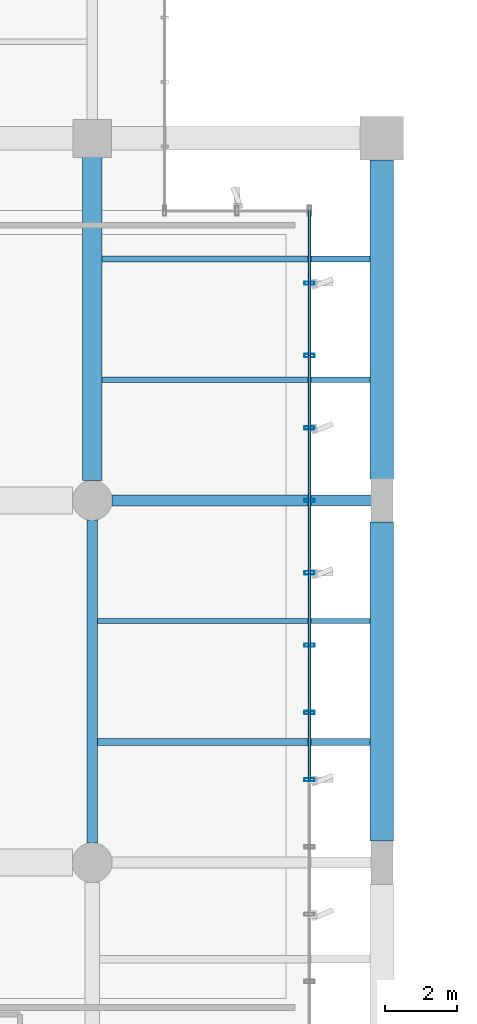
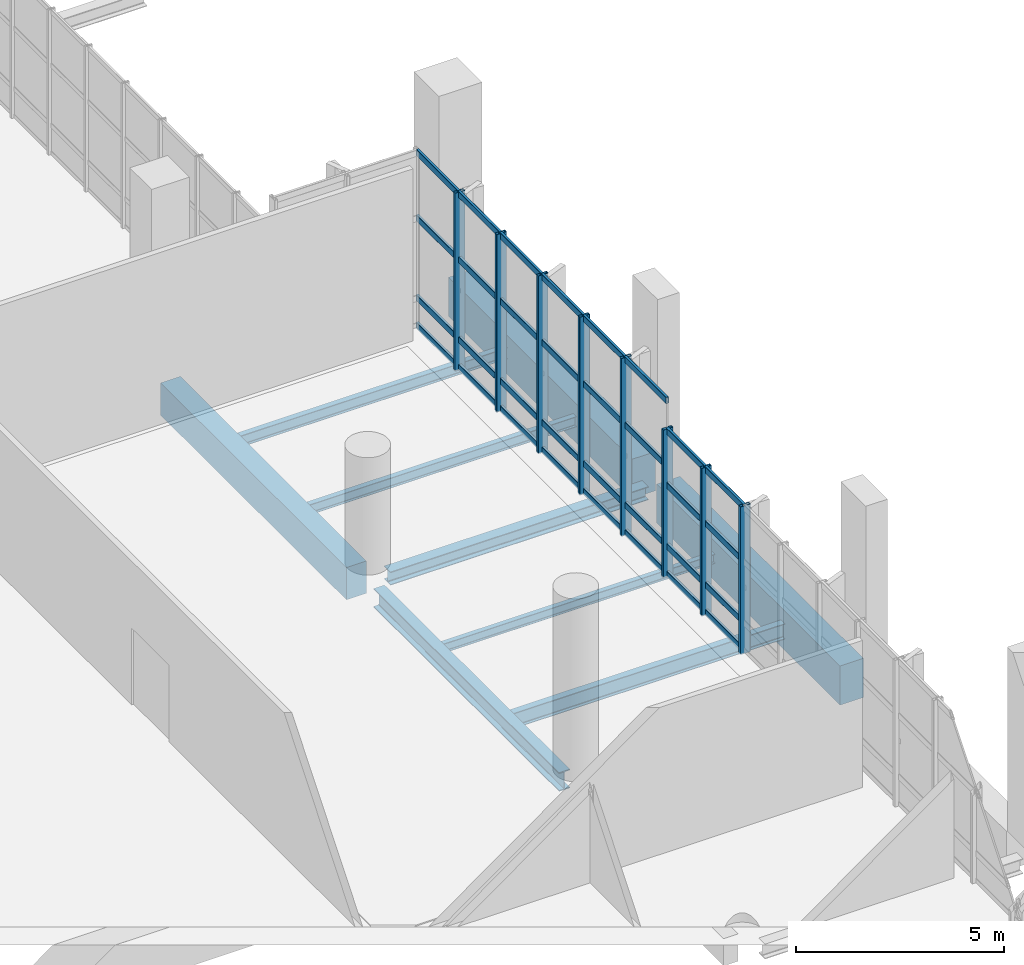
# One storey, part 84 of 176: 40 members, 9 beams, 2 elements without a shape of their own.
"""IFC4 building model written with IfcOpenShell, lengths in metres."""

from ifc_helpers import new_model, si_unit, direction, frame, origin, origin_2d, place, context, subcontext, project, spatial, rectangle, hollow_rectangle, i_section, extrude, material, layer, layer_set, material_profile, profile_set, type_object, element, aggregate, save


model = new_model("IFC4")

# Units and contexts
model_context = context("Model", 3, precision=1e-05, world=origin(), true_north=direction((0.0, 1.0)))
body_context = subcontext(model_context, "Body", "Model", "MODEL_VIEW")
ifc_project = project(units=[si_unit("LENGTHUNIT", "METRE"), si_unit("AREAUNIT", "SQUARE_METRE"), si_unit("VOLUMEUNIT", "CUBIC_METRE"), si_unit("PLANEANGLEUNIT", "RADIAN"), si_unit("MASSUNIT", "GRAM", prefix="KILO")], contexts=[model_context])

# Site, building, storey
site_placement = place(None, origin())
site = spatial("IfcSite", under=ifc_project, at=site_placement, CompositionType="ELEMENT")
building_placement = place(site_placement, origin())
building = spatial("IfcBuilding", under=site, at=building_placement, Name="Khorjan Park Terminus", CompositionType="ELEMENT")
storey_placement = place(building_placement, frame((0.0, 0.0, 6.0)))
storey = spatial("IfcBuildingStorey", under=building, at=storey_placement, Name="L01", CompositionType="ELEMENT", Elevation=6.0)

# Beams
ifc_material_1 = material(Name="Steel S355", Category="steel")
ifc_material_profile_1 = material_profile(ifc_material_1, i_section(OverallWidth=0.3, OverallDepth=0.39, WebThickness=0.011, FlangeThickness=0.019, FilletRadius=0.027, at=origin_2d()), Name="HEA 400")
ifc_profile_set_1 = profile_set([ifc_material_profile_1], Name="Steel S355")
beam_type_1 = type_object("IfcBeamType", Name="BM-HEA400", PredefinedType="BEAM", material=ifc_profile_set_1)
beam_1_placement = place(storey_placement, frame((128.545, 78.0, -0.555), z_axis=(1.0, 0.0, 0.0), x_axis=(0.0, 1.0, 0.0)))
element("IfcBeam", 1, at=beam_1_placement, inside=storey, type_object=beam_type_1, Name="Primary floor girder SB-A40 (L01)", PredefinedType="BEAM", context=body_context, shape_type="SweptSolid", body=[
    extrude(i_section(OverallWidth=0.3, OverallDepth=0.39, WebThickness=0.011, FlangeThickness=0.019, FilletRadius=0.027, at=origin_2d()), origin(), (0.0, 0.0, 1.0), 7.16),
])
ifc_material_profile_2 = material_profile(ifc_material_1, i_section(OverallWidth=0.3, OverallDepth=0.55, WebThickness=0.015, FlangeThickness=0.029, FilletRadius=0.027, at=origin_2d()), Name="HEB 550")
ifc_profile_set_2 = profile_set([ifc_material_profile_2], Name="Steel S355")
beam_type_2 = type_object("IfcBeamType", Name="BM-HEB550", PredefinedType="BEAM", material=ifc_profile_set_2)
beam_2_placement = place(storey_placement, frame((128.0, 68.545, -0.635), z_axis=(0.0, 1.0, 0.0), x_axis=(-1.0, 0.0, 0.0)))
element("IfcBeam", 2, at=beam_2_placement, inside=storey, type_object=beam_type_2, Name="Primary floor girder SB-B55 (L01)", PredefinedType="BEAM", context=body_context, shape_type="SweptSolid", body=[
    extrude(i_section(OverallWidth=0.3, OverallDepth=0.55, WebThickness=0.015, FlangeThickness=0.029, FilletRadius=0.027, at=origin_2d()), origin(), (0.0, 0.0, 1.0), 8.91),
])
ifc_material_2 = material(Name="Concrete C40/50", Category="concrete")
ifc_material_profile_3 = material_profile(ifc_material_2, rectangle(XDim=0.55, YDim=0.95, at=origin_2d()), Name="RC 550x950")
ifc_profile_set_3 = profile_set([ifc_material_profile_3], Name="Concrete C40/50")
beam_type_3 = type_object("IfcBeamType", Name="BM-RC550x950", PredefinedType="BEAM", material=ifc_profile_set_3)
beam_3_placement = place(storey_placement, frame((128.0, 78.545, -0.835), z_axis=(0.0, 1.0, 0.0), x_axis=(-1.0, 0.0, 0.0)))
element("IfcBeam", 3, at=beam_3_placement, inside=storey, type_object=beam_type_3, Name="Primary floor girder GB-95 (L01)", PredefinedType="BEAM", context=body_context, shape_type="SweptSolid", body=[
    extrude(rectangle(XDim=0.55, YDim=0.95, at=origin_2d()), origin(), (0.0, 0.0, 1.0), 8.935),
])
ifc_material_profile_4 = material_profile(ifc_material_1, i_section(OverallWidth=0.135, OverallDepth=0.27, WebThickness=0.0066, FlangeThickness=0.0102, FilletRadius=0.015, at=origin_2d()), Name="IPE 270")
ifc_profile_set_4 = profile_set([ifc_material_profile_4], Name="Steel S355")
beam_type_4 = type_object("IfcBeamType", Name="JS-IPE270", PredefinedType="JOIST", material=ifc_profile_set_4)
beam_4_placement = place(storey_placement, frame((128.15, 74.6667, -0.495), z_axis=(1.0, 0.0, 0.0), x_axis=(0.0, 1.0, 0.0)))
element("IfcBeam", 4, at=beam_4_placement, inside=storey, type_object=beam_type_4, Name="Secondary composite floor joist SJ-27 (L01)", PredefinedType="JOIST", context=body_context, shape_type="SweptSolid", body=[
    extrude(i_section(OverallWidth=0.135, OverallDepth=0.27, WebThickness=0.0066, FlangeThickness=0.0102, FilletRadius=0.015, at=origin_2d()), origin(), (0.0, 0.0, 1.0), 7.525),
])
ifc_material_profile_5 = material_profile(ifc_material_1, i_section(OverallWidth=0.15, OverallDepth=0.3, WebThickness=0.0071, FlangeThickness=0.0107, FilletRadius=0.015, at=origin_2d()), Name="IPE 300")
ifc_profile_set_5 = profile_set([ifc_material_profile_5], Name="Steel S355")
beam_type_5 = type_object("IfcBeamType", Name="JS-IPE300", PredefinedType="JOIST", material=ifc_profile_set_5)
beam_5_placement = place(storey_placement, frame((128.275, 81.3333, -0.51), z_axis=(1.0, 0.0, 0.0), x_axis=(0.0, 1.0, 0.0)))
element("IfcBeam", 5, at=beam_5_placement, inside=storey, type_object=beam_type_5, Name="Secondary composite floor joist SJ-30 (L01)", PredefinedType="JOIST", context=body_context, shape_type="SweptSolid", body=[
    extrude(i_section(OverallWidth=0.15, OverallDepth=0.3, WebThickness=0.0071, FlangeThickness=0.0107, FilletRadius=0.015, at=origin_2d()), origin(), (0.0, 0.0, 1.0), 7.4),
])
ifc_material_profile_6 = material_profile(ifc_material_1, i_section(OverallWidth=0.16, OverallDepth=0.33, WebThickness=0.0075, FlangeThickness=0.0115, FilletRadius=0.018, at=origin_2d()), Name="IPE 330")
ifc_profile_set_6 = profile_set([ifc_material_profile_6], Name="Steel S355")
beam_type_6 = type_object("IfcBeamType", Name="JS-IPE330", PredefinedType="JOIST", material=ifc_profile_set_6)
beam_6_placement = place(storey_placement, frame((128.275, 84.6667, -0.525), z_axis=(1.0, 0.0, 0.0), x_axis=(0.0, 1.0, 0.0)))
element("IfcBeam", 6, at=beam_6_placement, inside=storey, type_object=beam_type_6, Name="Secondary composite floor joist SJ-33 (L01)", PredefinedType="JOIST", context=body_context, shape_type="SweptSolid", body=[
    extrude(i_section(OverallWidth=0.16, OverallDepth=0.33, WebThickness=0.0075, FlangeThickness=0.0115, FilletRadius=0.018, at=origin_2d()), origin(), (0.0, 0.0, 1.0), 7.4),
])
ifc_material_profile_7 = material_profile(ifc_material_1, i_section(OverallWidth=0.19, OverallDepth=0.45, WebThickness=0.0094, FlangeThickness=0.0146, FilletRadius=0.021, at=origin_2d()), Name="IPE 450")
ifc_profile_set_7 = profile_set([ifc_material_profile_7], Name="Steel S355")
beam_type_7 = type_object("IfcBeamType", Name="JS-IPE450", PredefinedType="JOIST", material=ifc_profile_set_7)
beam_7_placement = place(storey_placement, frame((128.15, 71.3333, -0.585), z_axis=(1.0, 0.0, 0.0), x_axis=(0.0, 1.0, 0.0)))
element("IfcBeam", 7, at=beam_7_placement, inside=storey, type_object=beam_type_7, Name="Secondary composite floor joist SJ-45 (L01)", PredefinedType="JOIST", context=body_context, shape_type="SweptSolid", body=[
    extrude(i_section(OverallWidth=0.19, OverallDepth=0.45, WebThickness=0.0094, FlangeThickness=0.0146, FilletRadius=0.021, at=origin_2d()), origin(), (0.0, 0.0, 1.0), 7.525),
])

# Curtain wall, members
ifc_material_3 = material(Name="Anodized Bronze Aluminium", Category="aluminium")
ifc_layer = layer(ifc_material_3, 0.22)
ifc_layer_set = layer_set([ifc_layer], Name="Anodized Bronze Aluminium")
curtain_wall_type = type_object("IfcCurtainWallType", Name="CW-CONC-A", PredefinedType="NOTDEFINED", material=ifc_layer_set)
curtain_wall_1_placement = place(storey_placement, origin())
curtain_wall_1 = element("IfcCurtainWall", 8, at=curtain_wall_1_placement, inside=storey, type_object=curtain_wall_type, Name="Unitized curtain wall CW-A (CW-V2-E-L01-03)", PredefinedType="NOTDEFINED")
ifc_material_profile_8 = material_profile(ifc_material_3, hollow_rectangle(XDim=0.09, YDim=0.28, WallThickness=0.006, InnerFilletRadius=0.006, OuterFilletRadius=0.012, at=origin_2d()), Name="ALM 90x280x6")
ifc_profile_set_8 = profile_set([ifc_material_profile_8], Name="Anodized Bronze Aluminium")
member_type_1 = type_object("IfcMemberType", Name="ML-ALM-280", PredefinedType="MULLION", material=ifc_profile_set_8)
member_1_placement = place(storey_placement, frame((134.0, 70.2857, -0.035), z_axis=(0.0, 0.0, 1.0), x_axis=(0.0, 1.0, 0.0)))
member_1 = element("IfcMember", 9, at=member_1_placement, type_object=member_type_1, Name="Curtain-wall mullion ML-28 (CW-V2-E-L01-03-5)", PredefinedType="MULLION", context=body_context, shape_type="SweptSolid", body=[
    extrude(hollow_rectangle(XDim=0.09, YDim=0.28, WallThickness=0.006, InnerFilletRadius=0.006, OuterFilletRadius=0.012, at=origin_2d()), origin(), (0.0, 0.0, 1.0), 4.335),
])
member_2_placement = place(storey_placement, frame((134.0, 72.1429, -0.035), z_axis=(0.0, 0.0, 1.0), x_axis=(0.0, 1.0, 0.0)))
member_2 = element("IfcMember", 10, at=member_2_placement, type_object=member_type_1, Name="Curtain-wall mullion ML-28 (CW-V2-E-L01-03-6)", PredefinedType="MULLION", context=body_context, shape_type="SweptSolid", body=[
    extrude(hollow_rectangle(XDim=0.09, YDim=0.28, WallThickness=0.006, InnerFilletRadius=0.006, OuterFilletRadius=0.012, at=origin_2d()), origin(), (0.0, 0.0, 1.0), 4.335),
])
member_3_placement = place(storey_placement, frame((134.0, 74.0, -0.035), z_axis=(0.0, 0.0, 1.0), x_axis=(0.0, 1.0, 0.0)))
member_3 = element("IfcMember", 11, at=member_3_placement, type_object=member_type_1, Name="Curtain-wall mullion ML-28 (CW-V2-E-L01-03-7)", PredefinedType="MULLION", context=body_context, shape_type="SweptSolid", body=[
    extrude(hollow_rectangle(XDim=0.09, YDim=0.28, WallThickness=0.006, InnerFilletRadius=0.006, OuterFilletRadius=0.012, at=origin_2d()), origin(), (0.0, 0.0, 1.0), 4.335),
])

curtain_wall_2_placement = place(storey_placement, origin())
curtain_wall_2 = element("IfcCurtainWall", 12, at=curtain_wall_2_placement, inside=storey, type_object=curtain_wall_type, Name="Unitized curtain wall CW-A (CW-V2-E-L01-04)", PredefinedType="NOTDEFINED")
member_4_placement = place(storey_placement, frame((134.0, 76.0, -0.035), z_axis=(0.0, 0.0, 1.0), x_axis=(0.0, 1.0, 0.0)))
member_4 = element("IfcMember", 13, at=member_4_placement, type_object=member_type_1, Name="Curtain-wall mullion ML-28 (CW-V2-E-L01-04-1)", PredefinedType="MULLION", context=body_context, shape_type="SweptSolid", body=[
    extrude(hollow_rectangle(XDim=0.09, YDim=0.28, WallThickness=0.006, InnerFilletRadius=0.006, OuterFilletRadius=0.012, at=origin_2d()), origin(), (0.0, 0.0, 1.0), 5.22),
])
member_5_placement = place(storey_placement, frame((134.0, 78.0, -0.035), z_axis=(0.0, 0.0, 1.0), x_axis=(0.0, 1.0, 0.0)))
member_5 = element("IfcMember", 14, at=member_5_placement, type_object=member_type_1, Name="Curtain-wall mullion ML-28 (CW-V2-E-L01-04-2)", PredefinedType="MULLION", context=body_context, shape_type="SweptSolid", body=[
    extrude(hollow_rectangle(XDim=0.09, YDim=0.28, WallThickness=0.006, InnerFilletRadius=0.006, OuterFilletRadius=0.012, at=origin_2d()), origin(), (0.0, 0.0, 1.0), 5.22),
])
member_6_placement = place(storey_placement, frame((134.0, 80.0, -0.035), z_axis=(0.0, 0.0, 1.0), x_axis=(0.0, 1.0, 0.0)))
member_6 = element("IfcMember", 15, at=member_6_placement, type_object=member_type_1, Name="Curtain-wall mullion ML-28 (CW-V2-E-L01-04-3)", PredefinedType="MULLION", context=body_context, shape_type="SweptSolid", body=[
    extrude(hollow_rectangle(XDim=0.09, YDim=0.28, WallThickness=0.006, InnerFilletRadius=0.006, OuterFilletRadius=0.012, at=origin_2d()), origin(), (0.0, 0.0, 1.0), 5.22),
])
member_7_placement = place(storey_placement, frame((134.0, 82.0, -0.035), z_axis=(0.0, 0.0, 1.0), x_axis=(0.0, 1.0, 0.0)))
member_7 = element("IfcMember", 16, at=member_7_placement, type_object=member_type_1, Name="Curtain-wall mullion ML-28 (CW-V2-E-L01-04-4)", PredefinedType="MULLION", context=body_context, shape_type="SweptSolid", body=[
    extrude(hollow_rectangle(XDim=0.09, YDim=0.28, WallThickness=0.006, InnerFilletRadius=0.006, OuterFilletRadius=0.012, at=origin_2d()), origin(), (0.0, 0.0, 1.0), 5.22),
])
member_8_placement = place(storey_placement, frame((134.0, 84.0, -0.035), z_axis=(0.0, 0.0, 1.0), x_axis=(0.0, 1.0, 0.0)))
member_8 = element("IfcMember", 17, at=member_8_placement, type_object=member_type_1, Name="Curtain-wall mullion ML-28 (CW-V2-E-L01-04-5)", PredefinedType="MULLION", context=body_context, shape_type="SweptSolid", body=[
    extrude(hollow_rectangle(XDim=0.09, YDim=0.28, WallThickness=0.006, InnerFilletRadius=0.006, OuterFilletRadius=0.012, at=origin_2d()), origin(), (0.0, 0.0, 1.0), 5.22),
])

# Beams
ifc_material_4 = material(Name="Concrete C50/60", Category="concrete")
ifc_material_profile_9 = material_profile(ifc_material_4, rectangle(XDim=0.65, YDim=1.15, at=origin_2d()), Name="RC 650x1150")
ifc_profile_set_9 = profile_set([ifc_material_profile_9], Name="Concrete C50/60")
beam_type_8 = type_object("IfcBeamType", Name="SP-RC650x1150", PredefinedType="SPANDREL", material=ifc_profile_set_9)
for number, where, z_axis, x_axis, name in (
    (18, (136.0, 68.595, -0.575), (0.0, 1.0, 0.0), (-1.0, 0.0, 0.0), "Concourse lower colonnade ring beam SP-11 (L01-34)"),
    (19, (136.0, 78.595, -0.575), (0.0, 1.0, 0.0), (-1.0, 0.0, 0.0), "Concourse lower colonnade ring beam SP-11 (L01-36)"),
):
    element("IfcBeam", number, at=place(storey_placement, frame(where, z_axis=z_axis, x_axis=x_axis)), inside=storey, type_object=beam_type_8, Name=name, PredefinedType="SPANDREL", context=body_context, shape_type="SweptSolid", body=[
        extrude(rectangle(XDim=0.65, YDim=1.15, at=origin_2d()), origin(), (0.0, 0.0, 1.0), 8.81),
    ])

# Member
ifc_material_profile_10 = material_profile(ifc_material_3, hollow_rectangle(XDim=0.075, YDim=0.185, WallThickness=0.005, InnerFilletRadius=0.005, OuterFilletRadius=0.01, at=origin_2d()), Name="ALT 75x185x5")
ifc_profile_set_10 = profile_set([ifc_material_profile_10], Name="Anodized Bronze Aluminium")
member_type_2 = type_object("IfcMemberType", Name="TR-ALT-185", PredefinedType="USERDEFINED", material=ifc_profile_set_10)
member_9_placement = place(storey_placement, frame((134.0, 70.2857, 0.04), z_axis=(0.0, 1.0, 0.0), x_axis=(-1.0, 0.0, 0.0)))
member_9 = element("IfcMember", 20, at=member_9_placement, type_object=member_type_2, Name="Curtain-wall transom TR-18 (CW-V2-E-L01-03-5-1)", ObjectType="TRANSOM", PredefinedType="USERDEFINED", context=body_context, shape_type="SweptSolid", body=[
    extrude(hollow_rectangle(XDim=0.075, YDim=0.185, WallThickness=0.005, InnerFilletRadius=0.005, OuterFilletRadius=0.01, at=origin_2d()), origin(), (0.0, 0.0, 1.0), 1.8572),
])

member_10_placement = place(storey_placement, frame((134.0, 70.2857, 0.85), z_axis=(0.0, 1.0, 0.0), x_axis=(-1.0, 0.0, 0.0)))
member_10 = element("IfcMember", 21, at=member_10_placement, type_object=member_type_2, Name="Curtain-wall transom TR-18 (CW-V2-E-L01-03-5-2)", ObjectType="TRANSOM", PredefinedType="USERDEFINED", context=body_context, shape_type="SweptSolid", body=[
    extrude(hollow_rectangle(XDim=0.075, YDim=0.185, WallThickness=0.005, InnerFilletRadius=0.005, OuterFilletRadius=0.01, at=origin_2d()), origin(), (0.0, 0.0, 1.0), 1.8572),
])

member_11_placement = place(storey_placement, frame((134.0, 70.2857, 2.6443), z_axis=(0.0, 1.0, 0.0), x_axis=(-1.0, 0.0, 0.0)))
member_11 = element("IfcMember", 22, at=member_11_placement, type_object=member_type_2, Name="Curtain-wall transom TR-18 (CW-V2-E-L01-03-5-3)", ObjectType="TRANSOM", PredefinedType="USERDEFINED", context=body_context, shape_type="SweptSolid", body=[
    extrude(hollow_rectangle(XDim=0.075, YDim=0.185, WallThickness=0.005, InnerFilletRadius=0.005, OuterFilletRadius=0.01, at=origin_2d()), origin(), (0.0, 0.0, 1.0), 1.8572),
])

member_12_placement = place(storey_placement, frame((134.0, 70.2857, 4.225), z_axis=(0.0, 1.0, 0.0), x_axis=(-1.0, 0.0, 0.0)))
member_12 = element("IfcMember", 23, at=member_12_placement, type_object=member_type_2, Name="Curtain-wall transom TR-18 (CW-V2-E-L01-03-5-4)", ObjectType="TRANSOM", PredefinedType="USERDEFINED", context=body_context, shape_type="SweptSolid", body=[
    extrude(hollow_rectangle(XDim=0.075, YDim=0.185, WallThickness=0.005, InnerFilletRadius=0.005, OuterFilletRadius=0.01, at=origin_2d()), origin(), (0.0, 0.0, 1.0), 1.8572),
])

member_13_placement = place(storey_placement, frame((134.0, 72.1429, 0.04), z_axis=(0.0, 1.0, 0.0), x_axis=(-1.0, 0.0, 0.0)))
member_13 = element("IfcMember", 24, at=member_13_placement, type_object=member_type_2, Name="Curtain-wall transom TR-18 (CW-V2-E-L01-03-6-1)", ObjectType="TRANSOM", PredefinedType="USERDEFINED", context=body_context, shape_type="SweptSolid", body=[
    extrude(hollow_rectangle(XDim=0.075, YDim=0.185, WallThickness=0.005, InnerFilletRadius=0.005, OuterFilletRadius=0.01, at=origin_2d()), origin(), (0.0, 0.0, 1.0), 1.8571),
])

member_14_placement = place(storey_placement, frame((134.0, 72.1429, 0.85), z_axis=(0.0, 1.0, 0.0), x_axis=(-1.0, 0.0, 0.0)))
member_14 = element("IfcMember", 25, at=member_14_placement, type_object=member_type_2, Name="Curtain-wall transom TR-18 (CW-V2-E-L01-03-6-2)", ObjectType="TRANSOM", PredefinedType="USERDEFINED", context=body_context, shape_type="SweptSolid", body=[
    extrude(hollow_rectangle(XDim=0.075, YDim=0.185, WallThickness=0.005, InnerFilletRadius=0.005, OuterFilletRadius=0.01, at=origin_2d()), origin(), (0.0, 0.0, 1.0), 1.8571),
])

member_15_placement = place(storey_placement, frame((134.0, 72.1429, 2.6443), z_axis=(0.0, 1.0, 0.0), x_axis=(-1.0, 0.0, 0.0)))
member_15 = element("IfcMember", 26, at=member_15_placement, type_object=member_type_2, Name="Curtain-wall transom TR-18 (CW-V2-E-L01-03-6-3)", ObjectType="TRANSOM", PredefinedType="USERDEFINED", context=body_context, shape_type="SweptSolid", body=[
    extrude(hollow_rectangle(XDim=0.075, YDim=0.185, WallThickness=0.005, InnerFilletRadius=0.005, OuterFilletRadius=0.01, at=origin_2d()), origin(), (0.0, 0.0, 1.0), 1.8571),
])

member_16_placement = place(storey_placement, frame((134.0, 72.1429, 4.225), z_axis=(0.0, 1.0, 0.0), x_axis=(-1.0, 0.0, 0.0)))
member_16 = element("IfcMember", 27, at=member_16_placement, type_object=member_type_2, Name="Curtain-wall transom TR-18 (CW-V2-E-L01-03-6-4)", ObjectType="TRANSOM", PredefinedType="USERDEFINED", context=body_context, shape_type="SweptSolid", body=[
    extrude(hollow_rectangle(XDim=0.075, YDim=0.185, WallThickness=0.005, InnerFilletRadius=0.005, OuterFilletRadius=0.01, at=origin_2d()), origin(), (0.0, 0.0, 1.0), 1.8571),
])

aggregate(curtain_wall_1, [member_1, member_2, member_3, member_9, member_10, member_11, member_12, member_13, member_14, member_15, member_16])

member_17_placement = place(storey_placement, frame((134.0, 74.0, 0.04), z_axis=(0.0, 1.0, 0.0), x_axis=(-1.0, 0.0, 0.0)))
member_17 = element("IfcMember", 28, at=member_17_placement, type_object=member_type_2, Name="Curtain-wall transom TR-18 (CW-V2-E-L01-04-0-1)", ObjectType="TRANSOM", PredefinedType="USERDEFINED", context=body_context, shape_type="SweptSolid", body=[
    extrude(hollow_rectangle(XDim=0.075, YDim=0.185, WallThickness=0.005, InnerFilletRadius=0.005, OuterFilletRadius=0.01, at=origin_2d()), origin(), (0.0, 0.0, 1.0), 2.0),
])

member_18_placement = place(storey_placement, frame((134.0, 74.0, 0.85), z_axis=(0.0, 1.0, 0.0), x_axis=(-1.0, 0.0, 0.0)))
member_18 = element("IfcMember", 29, at=member_18_placement, type_object=member_type_2, Name="Curtain-wall transom TR-18 (CW-V2-E-L01-04-0-2)", ObjectType="TRANSOM", PredefinedType="USERDEFINED", context=body_context, shape_type="SweptSolid", body=[
    extrude(hollow_rectangle(XDim=0.075, YDim=0.185, WallThickness=0.005, InnerFilletRadius=0.005, OuterFilletRadius=0.01, at=origin_2d()), origin(), (0.0, 0.0, 1.0), 2.0),
])

member_19_placement = place(storey_placement, frame((134.0, 74.0, 3.193), z_axis=(0.0, 1.0, 0.0), x_axis=(-1.0, 0.0, 0.0)))
member_19 = element("IfcMember", 30, at=member_19_placement, type_object=member_type_2, Name="Curtain-wall transom TR-18 (CW-V2-E-L01-04-0-3)", ObjectType="TRANSOM", PredefinedType="USERDEFINED", context=body_context, shape_type="SweptSolid", body=[
    extrude(hollow_rectangle(XDim=0.075, YDim=0.185, WallThickness=0.005, InnerFilletRadius=0.005, OuterFilletRadius=0.01, at=origin_2d()), origin(), (0.0, 0.0, 1.0), 2.0),
])

member_20_placement = place(storey_placement, frame((134.0, 74.0, 5.11), z_axis=(0.0, 1.0, 0.0), x_axis=(-1.0, 0.0, 0.0)))
member_20 = element("IfcMember", 31, at=member_20_placement, type_object=member_type_2, Name="Curtain-wall transom TR-18 (CW-V2-E-L01-04-0-4)", ObjectType="TRANSOM", PredefinedType="USERDEFINED", context=body_context, shape_type="SweptSolid", body=[
    extrude(hollow_rectangle(XDim=0.075, YDim=0.185, WallThickness=0.005, InnerFilletRadius=0.005, OuterFilletRadius=0.01, at=origin_2d()), origin(), (0.0, 0.0, 1.0), 2.0),
])

member_21_placement = place(storey_placement, frame((134.0, 76.0, 0.04), z_axis=(0.0, 1.0, 0.0), x_axis=(-1.0, 0.0, 0.0)))
member_21 = element("IfcMember", 32, at=member_21_placement, type_object=member_type_2, Name="Curtain-wall transom TR-18 (CW-V2-E-L01-04-1-1)", ObjectType="TRANSOM", PredefinedType="USERDEFINED", context=body_context, shape_type="SweptSolid", body=[
    extrude(hollow_rectangle(XDim=0.075, YDim=0.185, WallThickness=0.005, InnerFilletRadius=0.005, OuterFilletRadius=0.01, at=origin_2d()), origin(), (0.0, 0.0, 1.0), 2.0),
])

member_22_placement = place(storey_placement, frame((134.0, 76.0, 0.85), z_axis=(0.0, 1.0, 0.0), x_axis=(-1.0, 0.0, 0.0)))
member_22 = element("IfcMember", 33, at=member_22_placement, type_object=member_type_2, Name="Curtain-wall transom TR-18 (CW-V2-E-L01-04-1-2)", ObjectType="TRANSOM", PredefinedType="USERDEFINED", context=body_context, shape_type="SweptSolid", body=[
    extrude(hollow_rectangle(XDim=0.075, YDim=0.185, WallThickness=0.005, InnerFilletRadius=0.005, OuterFilletRadius=0.01, at=origin_2d()), origin(), (0.0, 0.0, 1.0), 2.0),
])

member_23_placement = place(storey_placement, frame((134.0, 76.0, 3.193), z_axis=(0.0, 1.0, 0.0), x_axis=(-1.0, 0.0, 0.0)))
member_23 = element("IfcMember", 34, at=member_23_placement, type_object=member_type_2, Name="Curtain-wall transom TR-18 (CW-V2-E-L01-04-1-3)", ObjectType="TRANSOM", PredefinedType="USERDEFINED", context=body_context, shape_type="SweptSolid", body=[
    extrude(hollow_rectangle(XDim=0.075, YDim=0.185, WallThickness=0.005, InnerFilletRadius=0.005, OuterFilletRadius=0.01, at=origin_2d()), origin(), (0.0, 0.0, 1.0), 2.0),
])

member_24_placement = place(storey_placement, frame((134.0, 76.0, 5.11), z_axis=(0.0, 1.0, 0.0), x_axis=(-1.0, 0.0, 0.0)))
member_24 = element("IfcMember", 35, at=member_24_placement, type_object=member_type_2, Name="Curtain-wall transom TR-18 (CW-V2-E-L01-04-1-4)", ObjectType="TRANSOM", PredefinedType="USERDEFINED", context=body_context, shape_type="SweptSolid", body=[
    extrude(hollow_rectangle(XDim=0.075, YDim=0.185, WallThickness=0.005, InnerFilletRadius=0.005, OuterFilletRadius=0.01, at=origin_2d()), origin(), (0.0, 0.0, 1.0), 2.0),
])

member_25_placement = place(storey_placement, frame((134.0, 78.0, 0.04), z_axis=(0.0, 1.0, 0.0), x_axis=(-1.0, 0.0, 0.0)))
member_25 = element("IfcMember", 36, at=member_25_placement, type_object=member_type_2, Name="Curtain-wall transom TR-18 (CW-V2-E-L01-04-2-1)", ObjectType="TRANSOM", PredefinedType="USERDEFINED", context=body_context, shape_type="SweptSolid", body=[
    extrude(hollow_rectangle(XDim=0.075, YDim=0.185, WallThickness=0.005, InnerFilletRadius=0.005, OuterFilletRadius=0.01, at=origin_2d()), origin(), (0.0, 0.0, 1.0), 2.0),
])

member_26_placement = place(storey_placement, frame((134.0, 78.0, 0.85), z_axis=(0.0, 1.0, 0.0), x_axis=(-1.0, 0.0, 0.0)))
member_26 = element("IfcMember", 37, at=member_26_placement, type_object=member_type_2, Name="Curtain-wall transom TR-18 (CW-V2-E-L01-04-2-2)", ObjectType="TRANSOM", PredefinedType="USERDEFINED", context=body_context, shape_type="SweptSolid", body=[
    extrude(hollow_rectangle(XDim=0.075, YDim=0.185, WallThickness=0.005, InnerFilletRadius=0.005, OuterFilletRadius=0.01, at=origin_2d()), origin(), (0.0, 0.0, 1.0), 2.0),
])

member_27_placement = place(storey_placement, frame((134.0, 78.0, 3.193), z_axis=(0.0, 1.0, 0.0), x_axis=(-1.0, 0.0, 0.0)))
member_27 = element("IfcMember", 38, at=member_27_placement, type_object=member_type_2, Name="Curtain-wall transom TR-18 (CW-V2-E-L01-04-2-3)", ObjectType="TRANSOM", PredefinedType="USERDEFINED", context=body_context, shape_type="SweptSolid", body=[
    extrude(hollow_rectangle(XDim=0.075, YDim=0.185, WallThickness=0.005, InnerFilletRadius=0.005, OuterFilletRadius=0.01, at=origin_2d()), origin(), (0.0, 0.0, 1.0), 2.0),
])

member_28_placement = place(storey_placement, frame((134.0, 78.0, 5.11), z_axis=(0.0, 1.0, 0.0), x_axis=(-1.0, 0.0, 0.0)))
member_28 = element("IfcMember", 39, at=member_28_placement, type_object=member_type_2, Name="Curtain-wall transom TR-18 (CW-V2-E-L01-04-2-4)", ObjectType="TRANSOM", PredefinedType="USERDEFINED", context=body_context, shape_type="SweptSolid", body=[
    extrude(hollow_rectangle(XDim=0.075, YDim=0.185, WallThickness=0.005, InnerFilletRadius=0.005, OuterFilletRadius=0.01, at=origin_2d()), origin(), (0.0, 0.0, 1.0), 2.0),
])

member_29_placement = place(storey_placement, frame((134.0, 80.0, 0.04), z_axis=(0.0, 1.0, 0.0), x_axis=(-1.0, 0.0, 0.0)))
member_29 = element("IfcMember", 40, at=member_29_placement, type_object=member_type_2, Name="Curtain-wall transom TR-18 (CW-V2-E-L01-04-3-1)", ObjectType="TRANSOM", PredefinedType="USERDEFINED", context=body_context, shape_type="SweptSolid", body=[
    extrude(hollow_rectangle(XDim=0.075, YDim=0.185, WallThickness=0.005, InnerFilletRadius=0.005, OuterFilletRadius=0.01, at=origin_2d()), origin(), (0.0, 0.0, 1.0), 2.0),
])

member_30_placement = place(storey_placement, frame((134.0, 80.0, 0.85), z_axis=(0.0, 1.0, 0.0), x_axis=(-1.0, 0.0, 0.0)))
member_30 = element("IfcMember", 41, at=member_30_placement, type_object=member_type_2, Name="Curtain-wall transom TR-18 (CW-V2-E-L01-04-3-2)", ObjectType="TRANSOM", PredefinedType="USERDEFINED", context=body_context, shape_type="SweptSolid", body=[
    extrude(hollow_rectangle(XDim=0.075, YDim=0.185, WallThickness=0.005, InnerFilletRadius=0.005, OuterFilletRadius=0.01, at=origin_2d()), origin(), (0.0, 0.0, 1.0), 2.0),
])

member_31_placement = place(storey_placement, frame((134.0, 80.0, 3.193), z_axis=(0.0, 1.0, 0.0), x_axis=(-1.0, 0.0, 0.0)))
member_31 = element("IfcMember", 42, at=member_31_placement, type_object=member_type_2, Name="Curtain-wall transom TR-18 (CW-V2-E-L01-04-3-3)", ObjectType="TRANSOM", PredefinedType="USERDEFINED", context=body_context, shape_type="SweptSolid", body=[
    extrude(hollow_rectangle(XDim=0.075, YDim=0.185, WallThickness=0.005, InnerFilletRadius=0.005, OuterFilletRadius=0.01, at=origin_2d()), origin(), (0.0, 0.0, 1.0), 2.0),
])

member_32_placement = place(storey_placement, frame((134.0, 80.0, 5.11), z_axis=(0.0, 1.0, 0.0), x_axis=(-1.0, 0.0, 0.0)))
member_32 = element("IfcMember", 43, at=member_32_placement, type_object=member_type_2, Name="Curtain-wall transom TR-18 (CW-V2-E-L01-04-3-4)", ObjectType="TRANSOM", PredefinedType="USERDEFINED", context=body_context, shape_type="SweptSolid", body=[
    extrude(hollow_rectangle(XDim=0.075, YDim=0.185, WallThickness=0.005, InnerFilletRadius=0.005, OuterFilletRadius=0.01, at=origin_2d()), origin(), (0.0, 0.0, 1.0), 2.0),
])

member_33_placement = place(storey_placement, frame((134.0, 82.0, 0.04), z_axis=(0.0, 1.0, 0.0), x_axis=(-1.0, 0.0, 0.0)))
member_33 = element("IfcMember", 44, at=member_33_placement, type_object=member_type_2, Name="Curtain-wall transom TR-18 (CW-V2-E-L01-04-4-1)", ObjectType="TRANSOM", PredefinedType="USERDEFINED", context=body_context, shape_type="SweptSolid", body=[
    extrude(hollow_rectangle(XDim=0.075, YDim=0.185, WallThickness=0.005, InnerFilletRadius=0.005, OuterFilletRadius=0.01, at=origin_2d()), origin(), (0.0, 0.0, 1.0), 2.0),
])

member_34_placement = place(storey_placement, frame((134.0, 82.0, 0.85), z_axis=(0.0, 1.0, 0.0), x_axis=(-1.0, 0.0, 0.0)))
member_34 = element("IfcMember", 45, at=member_34_placement, type_object=member_type_2, Name="Curtain-wall transom TR-18 (CW-V2-E-L01-04-4-2)", ObjectType="TRANSOM", PredefinedType="USERDEFINED", context=body_context, shape_type="SweptSolid", body=[
    extrude(hollow_rectangle(XDim=0.075, YDim=0.185, WallThickness=0.005, InnerFilletRadius=0.005, OuterFilletRadius=0.01, at=origin_2d()), origin(), (0.0, 0.0, 1.0), 2.0),
])

member_35_placement = place(storey_placement, frame((134.0, 82.0, 3.193), z_axis=(0.0, 1.0, 0.0), x_axis=(-1.0, 0.0, 0.0)))
member_35 = element("IfcMember", 46, at=member_35_placement, type_object=member_type_2, Name="Curtain-wall transom TR-18 (CW-V2-E-L01-04-4-3)", ObjectType="TRANSOM", PredefinedType="USERDEFINED", context=body_context, shape_type="SweptSolid", body=[
    extrude(hollow_rectangle(XDim=0.075, YDim=0.185, WallThickness=0.005, InnerFilletRadius=0.005, OuterFilletRadius=0.01, at=origin_2d()), origin(), (0.0, 0.0, 1.0), 2.0),
])

member_36_placement = place(storey_placement, frame((134.0, 82.0, 5.11), z_axis=(0.0, 1.0, 0.0), x_axis=(-1.0, 0.0, 0.0)))
member_36 = element("IfcMember", 47, at=member_36_placement, type_object=member_type_2, Name="Curtain-wall transom TR-18 (CW-V2-E-L01-04-4-4)", ObjectType="TRANSOM", PredefinedType="USERDEFINED", context=body_context, shape_type="SweptSolid", body=[
    extrude(hollow_rectangle(XDim=0.075, YDim=0.185, WallThickness=0.005, InnerFilletRadius=0.005, OuterFilletRadius=0.01, at=origin_2d()), origin(), (0.0, 0.0, 1.0), 2.0),
])

member_37_placement = place(storey_placement, frame((134.0, 84.0, 0.04), z_axis=(0.0, 1.0, 0.0), x_axis=(-1.0, 0.0, 0.0)))
member_37 = element("IfcMember", 48, at=member_37_placement, type_object=member_type_2, Name="Curtain-wall transom TR-18 (CW-V2-E-L01-04-5-1)", ObjectType="TRANSOM", PredefinedType="USERDEFINED", context=body_context, shape_type="SweptSolid", body=[
    extrude(hollow_rectangle(XDim=0.075, YDim=0.185, WallThickness=0.005, InnerFilletRadius=0.005, OuterFilletRadius=0.01, at=origin_2d()), origin(), (0.0, 0.0, 1.0), 2.0),
])

member_38_placement = place(storey_placement, frame((134.0, 84.0, 0.85), z_axis=(0.0, 1.0, 0.0), x_axis=(-1.0, 0.0, 0.0)))
member_38 = element("IfcMember", 49, at=member_38_placement, type_object=member_type_2, Name="Curtain-wall transom TR-18 (CW-V2-E-L01-04-5-2)", ObjectType="TRANSOM", PredefinedType="USERDEFINED", context=body_context, shape_type="SweptSolid", body=[
    extrude(hollow_rectangle(XDim=0.075, YDim=0.185, WallThickness=0.005, InnerFilletRadius=0.005, OuterFilletRadius=0.01, at=origin_2d()), origin(), (0.0, 0.0, 1.0), 2.0),
])

member_39_placement = place(storey_placement, frame((134.0, 84.0, 3.193), z_axis=(0.0, 1.0, 0.0), x_axis=(-1.0, 0.0, 0.0)))
member_39 = element("IfcMember", 50, at=member_39_placement, type_object=member_type_2, Name="Curtain-wall transom TR-18 (CW-V2-E-L01-04-5-3)", ObjectType="TRANSOM", PredefinedType="USERDEFINED", context=body_context, shape_type="SweptSolid", body=[
    extrude(hollow_rectangle(XDim=0.075, YDim=0.185, WallThickness=0.005, InnerFilletRadius=0.005, OuterFilletRadius=0.01, at=origin_2d()), origin(), (0.0, 0.0, 1.0), 2.0),
])

member_40_placement = place(storey_placement, frame((134.0, 84.0, 5.11), z_axis=(0.0, 1.0, 0.0), x_axis=(-1.0, 0.0, 0.0)))
member_40 = element("IfcMember", 51, at=member_40_placement, type_object=member_type_2, Name="Curtain-wall transom TR-18 (CW-V2-E-L01-04-5-4)", ObjectType="TRANSOM", PredefinedType="USERDEFINED", context=body_context, shape_type="SweptSolid", body=[
    extrude(hollow_rectangle(XDim=0.075, YDim=0.185, WallThickness=0.005, InnerFilletRadius=0.005, OuterFilletRadius=0.01, at=origin_2d()), origin(), (0.0, 0.0, 1.0), 2.0),
])

aggregate(curtain_wall_2, [member_4, member_5, member_6, member_7, member_8, member_17, member_18, member_19, member_20, member_21, member_22, member_23, member_24, member_25, member_26, member_27, member_28, member_29, member_30, member_31, member_32, member_33, member_34, member_35, member_36, member_37, member_38, member_39, member_40])

save(model, "model.ifc")
